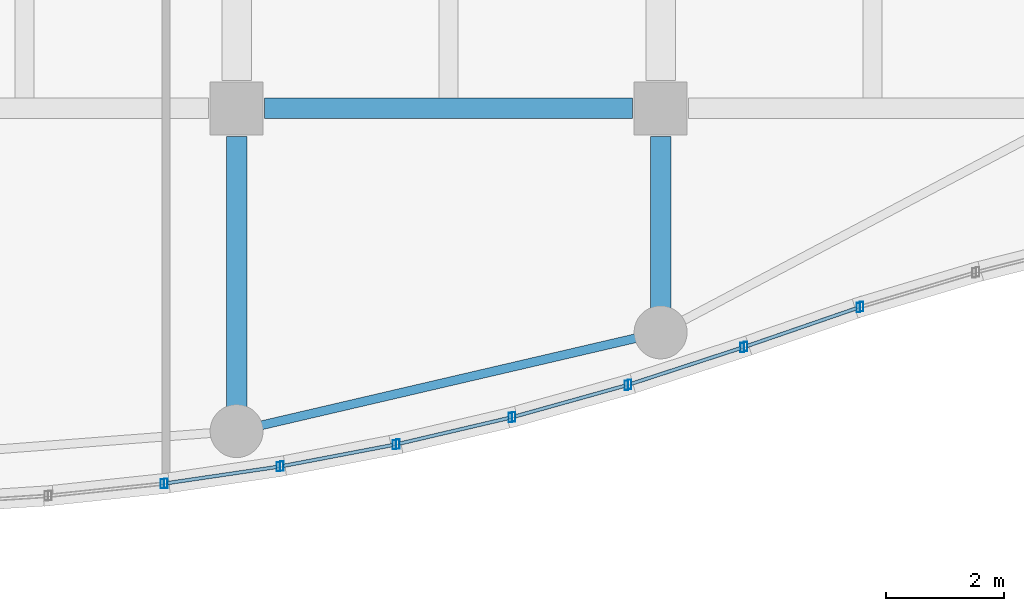
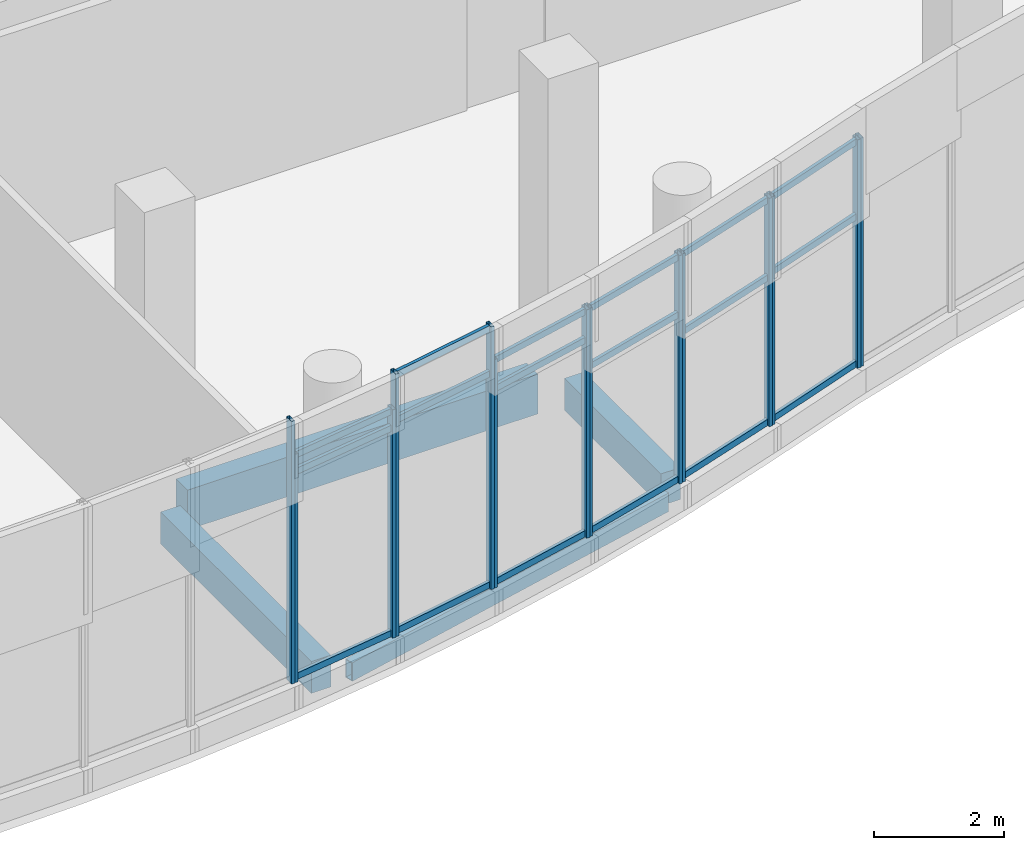
# One storey, part 78 of 192: 32 members, 4 beams, 8 elements without a shape of their own.
"""IFC4 building model written with IfcOpenShell, lengths in metres."""

from ifc_helpers import new_model, si_unit, direction, frame, origin, origin_2d, place, context, subcontext, project, spatial, rectangle, hollow_rectangle, extrude, material, material_profile, profile_set, type_object, element, aggregate, save


model = new_model("IFC4")

# Units and contexts
model_context = context("Model", 3, precision=1e-05, world=origin(), true_north=direction((0.0, 1.0)))
body_context = subcontext(model_context, "Body", "Model", "MODEL_VIEW")
ifc_project = project(units=[si_unit("LENGTHUNIT", "METRE"), si_unit("AREAUNIT", "SQUARE_METRE"), si_unit("VOLUMEUNIT", "CUBIC_METRE"), si_unit("PLANEANGLEUNIT", "RADIAN"), si_unit("MASSUNIT", "GRAM", prefix="KILO")], contexts=[model_context])

# Site, building, storey
site_placement = place(None, origin())
site = spatial("IfcSite", under=ifc_project, at=site_placement, CompositionType="ELEMENT")
building_placement = place(site_placement, origin())
building = spatial("IfcBuilding", under=site, at=building_placement, Name="Cendralis Lancet Convention Centre", CompositionType="ELEMENT")
storey_placement = place(building_placement, origin())
storey = spatial("IfcBuildingStorey", under=building, at=storey_placement, Name="L00", CompositionType="ELEMENT", Elevation=0.0)

# Curtain wall, member
ifc_material_1 = material(Name="Anodised bronze architectural aluminium", Category="aluminium")
curtain_wall_type = type_object("IfcCurtainWallType", Name="ARC-CW-WF02", PredefinedType="USERDEFINED", material=ifc_material_1)
curtain_wall_1_placement = place(storey_placement, origin())
curtain_wall_1 = element("IfcCurtainWall", 1, at=curtain_wall_1_placement, inside=storey, type_object=curtain_wall_type, Name="L00 Curtain Wall CW-WF2 #067", ObjectType="CURTAIN WALL", PredefinedType="USERDEFINED")
ifc_material_profile_1 = material_profile(ifc_material_1, hollow_rectangle(XDim=0.06005859375, YDim=0.159912109375, WallThickness=0.00390625, at=origin_2d()), Name="AL-MULL 60x160x4.0")
ifc_profile_set_1 = profile_set([ifc_material_profile_1], Name="Anodised bronze architectural aluminium")
member_type_1 = type_object("IfcMemberType", Name="ARC-CW-ML01", PredefinedType="MULLION", material=ifc_profile_set_1)
member_1_placement = place(storey_placement, frame((159.539306640625, 0.82568359375, 0.449951171875), z_axis=(0.0, 0.0, 1.0), x_axis=(1.0, 0.0, 0.0)))
member_1 = element("IfcMember", 2, at=member_1_placement, type_object=member_type_1, Name="Mullion CW2-CW-WF2-L00-067-M1", PredefinedType="MULLION", context=body_context, shape_type="SweptSolid", body=[
    extrude(hollow_rectangle(XDim=0.06005859375, YDim=0.159912109375, WallThickness=0.00390625, at=origin_2d()), origin(), (0.0, 0.0, 1.0), 4.949951171875),
])
aggregate(curtain_wall_1, [member_1])

# Curtain wall, members
curtain_wall_2_placement = place(storey_placement, origin())
curtain_wall_2 = element("IfcCurtainWall", 3, at=curtain_wall_2_placement, inside=storey, type_object=curtain_wall_type, Name="L00 Curtain Wall CW-WF2 #068", ObjectType="CURTAIN WALL", PredefinedType="USERDEFINED")
member_2_placement = place(storey_placement, frame((159.5986328125, 0.83349609375, 0.449951171875), z_axis=(0.0, 0.0, 1.0), x_axis=(1.0, 0.0, 0.0)))
member_2 = element("IfcMember", 4, at=member_2_placement, type_object=member_type_1, Name="Mullion CW2-CW-WF2-L00-068-M0", PredefinedType="MULLION", context=body_context, shape_type="SweptSolid", body=[
    extrude(hollow_rectangle(XDim=0.06005859375, YDim=0.159912109375, WallThickness=0.00390625, at=origin_2d()), origin(), (0.0, 0.0, 1.0), 4.304931640625),
])
member_3_placement = place(storey_placement, frame((161.50830078125, 1.114501953125, 0.449951171875), z_axis=(0.0, 0.0, 1.0), x_axis=(1.0, 0.0, 0.0)))
member_3 = element("IfcMember", 5, at=member_3_placement, type_object=member_type_1, Name="Mullion CW2-CW-WF2-L00-068-M1", PredefinedType="MULLION", context=body_context, shape_type="SweptSolid", body=[
    extrude(hollow_rectangle(XDim=0.06005859375, YDim=0.159912109375, WallThickness=0.00390625, at=origin_2d()), origin(), (0.0, 0.0, 1.0), 4.304931640625),
])

curtain_wall_3_placement = place(storey_placement, origin())
curtain_wall_3 = element("IfcCurtainWall", 6, at=curtain_wall_3_placement, inside=storey, type_object=curtain_wall_type, Name="L00 Curtain Wall CW-WF2 #069", ObjectType="CURTAIN WALL", PredefinedType="USERDEFINED")
member_4_placement = place(storey_placement, frame((161.5673828125, 1.12451171875, 0.449951171875), z_axis=(0.0, 0.0, 1.0), x_axis=(1.0, 0.0, 0.0)))
member_4 = element("IfcMember", 7, at=member_4_placement, type_object=member_type_1, Name="Mullion CW2-CW-WF2-L00-069-M0", PredefinedType="MULLION", context=body_context, shape_type="SweptSolid", body=[
    extrude(hollow_rectangle(XDim=0.06005859375, YDim=0.159912109375, WallThickness=0.00390625, at=origin_2d()), origin(), (0.0, 0.0, 1.0), 4.949951171875),
])
member_5_placement = place(storey_placement, frame((163.478515625, 1.48828125, 0.449951171875), z_axis=(0.0, 0.0, 1.0), x_axis=(1.0, 0.0, 0.0)))
member_5 = element("IfcMember", 8, at=member_5_placement, type_object=member_type_1, Name="Mullion CW2-CW-WF2-L00-069-M1", PredefinedType="MULLION", context=body_context, shape_type="SweptSolid", body=[
    extrude(hollow_rectangle(XDim=0.06005859375, YDim=0.159912109375, WallThickness=0.00390625, at=origin_2d()), origin(), (0.0, 0.0, 1.0), 4.949951171875),
])

curtain_wall_4_placement = place(storey_placement, origin())
curtain_wall_4 = element("IfcCurtainWall", 9, at=curtain_wall_4_placement, inside=storey, type_object=curtain_wall_type, Name="L00 Curtain Wall CW-WF2 #070", ObjectType="CURTAIN WALL", PredefinedType="USERDEFINED")
member_6_placement = place(storey_placement, frame((163.537109375, 1.500732421875, 0.449951171875), z_axis=(0.0, 0.0, 1.0), x_axis=(1.0, 0.0, 0.0)))
member_6 = element("IfcMember", 10, at=member_6_placement, type_object=member_type_1, Name="Mullion CW2-CW-WF2-L00-070-M0", PredefinedType="MULLION", context=body_context, shape_type="SweptSolid", body=[
    extrude(hollow_rectangle(XDim=0.06005859375, YDim=0.159912109375, WallThickness=0.00390625, at=origin_2d()), origin(), (0.0, 0.0, 1.0), 4.304931640625),
])
member_7_placement = place(storey_placement, frame((165.44775390625, 1.9482421875, 0.449951171875), z_axis=(0.0, 0.0, 1.0), x_axis=(1.0, 0.0, 0.0)))
member_7 = element("IfcMember", 11, at=member_7_placement, type_object=member_type_1, Name="Mullion CW2-CW-WF2-L00-070-M1", PredefinedType="MULLION", context=body_context, shape_type="SweptSolid", body=[
    extrude(hollow_rectangle(XDim=0.06005859375, YDim=0.159912109375, WallThickness=0.00390625, at=origin_2d()), origin(), (0.0, 0.0, 1.0), 4.304931640625),
])

curtain_wall_5_placement = place(storey_placement, origin())
curtain_wall_5 = element("IfcCurtainWall", 12, at=curtain_wall_5_placement, inside=storey, type_object=curtain_wall_type, Name="L00 Curtain Wall CW-WF2 #071", ObjectType="CURTAIN WALL", PredefinedType="USERDEFINED")
member_8_placement = place(storey_placement, frame((165.505859375, 1.963134765625, 0.449951171875), z_axis=(0.0, 0.0, 1.0), x_axis=(1.0, 0.0, 0.0)))
member_8 = element("IfcMember", 13, at=member_8_placement, type_object=member_type_1, Name="Mullion CW2-CW-WF2-L00-071-M0", PredefinedType="MULLION", context=body_context, shape_type="SweptSolid", body=[
    extrude(hollow_rectangle(XDim=0.06005859375, YDim=0.159912109375, WallThickness=0.00390625, at=origin_2d()), origin(), (0.0, 0.0, 1.0), 4.304931640625),
])
member_9_placement = place(storey_placement, frame((167.4169921875, 2.496826171875, 0.449951171875), z_axis=(0.0, 0.0, 1.0), x_axis=(1.0, 0.0, 0.0)))
member_9 = element("IfcMember", 14, at=member_9_placement, type_object=member_type_1, Name="Mullion CW2-CW-WF2-L00-071-M1", PredefinedType="MULLION", context=body_context, shape_type="SweptSolid", body=[
    extrude(hollow_rectangle(XDim=0.06005859375, YDim=0.159912109375, WallThickness=0.00390625, at=origin_2d()), origin(), (0.0, 0.0, 1.0), 4.304931640625),
])

curtain_wall_6_placement = place(storey_placement, origin())
curtain_wall_6 = element("IfcCurtainWall", 15, at=curtain_wall_6_placement, inside=storey, type_object=curtain_wall_type, Name="L00 Curtain Wall CW-WF2 #072", ObjectType="CURTAIN WALL", PredefinedType="USERDEFINED")
member_10_placement = place(storey_placement, frame((167.474609375, 2.514404296875, 0.449951171875), z_axis=(0.0, 0.0, 1.0), x_axis=(1.0, 0.0, 0.0)))
member_10 = element("IfcMember", 16, at=member_10_placement, type_object=member_type_1, Name="Mullion CW2-CW-WF2-L00-072-M0", PredefinedType="MULLION", context=body_context, shape_type="SweptSolid", body=[
    extrude(hollow_rectangle(XDim=0.06005859375, YDim=0.159912109375, WallThickness=0.00390625, at=origin_2d()), origin(), (0.0, 0.0, 1.0), 4.304931640625),
])
member_11_placement = place(storey_placement, frame((169.386474609375, 3.1376953125, 0.449951171875), z_axis=(0.0, 0.0, 1.0), x_axis=(1.0, 0.0, 0.0)))
member_11 = element("IfcMember", 17, at=member_11_placement, type_object=member_type_1, Name="Mullion CW2-CW-WF2-L00-072-M1", PredefinedType="MULLION", context=body_context, shape_type="SweptSolid", body=[
    extrude(hollow_rectangle(XDim=0.06005859375, YDim=0.159912109375, WallThickness=0.00390625, at=origin_2d()), origin(), (0.0, 0.0, 1.0), 4.304931640625),
])

curtain_wall_7_placement = place(storey_placement, origin())
curtain_wall_7 = element("IfcCurtainWall", 18, at=curtain_wall_7_placement, inside=storey, type_object=curtain_wall_type, Name="L00 Curtain Wall CW-WF2 #073", ObjectType="CURTAIN WALL", PredefinedType="USERDEFINED")
member_12_placement = place(storey_placement, frame((169.443359375, 3.15673828125, 0.449951171875), z_axis=(0.0, 0.0, 1.0), x_axis=(1.0, 0.0, 0.0)))
member_12 = element("IfcMember", 19, at=member_12_placement, type_object=member_type_1, Name="Mullion CW2-CW-WF2-L00-073-M0", PredefinedType="MULLION", context=body_context, shape_type="SweptSolid", body=[
    extrude(hollow_rectangle(XDim=0.06005859375, YDim=0.159912109375, WallThickness=0.00390625, at=origin_2d()), origin(), (0.0, 0.0, 1.0), 4.304931640625),
])
member_13_placement = place(storey_placement, frame((171.356689453125, 3.816162109375, 0.449951171875), z_axis=(0.0, 0.0, 1.0), x_axis=(1.0, 0.0, 0.0)))
member_13 = element("IfcMember", 20, at=member_13_placement, type_object=member_type_1, Name="Mullion CW2-CW-WF2-L00-073-M1", PredefinedType="MULLION", context=body_context, shape_type="SweptSolid", body=[
    extrude(hollow_rectangle(XDim=0.06005859375, YDim=0.159912109375, WallThickness=0.00390625, at=origin_2d()), origin(), (0.0, 0.0, 1.0), 4.304931640625),
])

# Curtain wall, member
curtain_wall_8_placement = place(storey_placement, origin())
curtain_wall_8 = element("IfcCurtainWall", 21, at=curtain_wall_8_placement, inside=storey, type_object=curtain_wall_type, Name="L00 Curtain Wall CW-WF2 #074", ObjectType="CURTAIN WALL", PredefinedType="USERDEFINED")
member_14_placement = place(storey_placement, frame((171.413818359375, 3.834716796875, 0.449951171875), z_axis=(0.0, 0.0, 1.0), x_axis=(1.0, 0.0, 0.0)))
member_14 = element("IfcMember", 22, at=member_14_placement, type_object=member_type_1, Name="Mullion CW2-CW-WF2-L00-074-M0", PredefinedType="MULLION", context=body_context, shape_type="SweptSolid", body=[
    extrude(hollow_rectangle(XDim=0.06005859375, YDim=0.159912109375, WallThickness=0.00390625, at=origin_2d()), origin(), (0.0, 0.0, 1.0), 4.304931640625),
])
aggregate(curtain_wall_8, [member_14])

# Member
ifc_material_profile_2 = material_profile(ifc_material_1, hollow_rectangle(XDim=0.06005859375, YDim=0.1201171875, WallThickness=0.00390625, at=origin_2d()), Name="AL-TRAN 60x120x4.0")
ifc_profile_set_2 = profile_set([ifc_material_profile_2], Name="Anodised bronze architectural aluminium")
member_type_2 = type_object("IfcMemberType", Name="ARC-CW-TR01", PredefinedType="USERDEFINED", material=ifc_profile_set_2)
member_15_placement = place(storey_placement, frame((159.62841796875, 0.837646484375, 0.510009765625), z_axis=(0.989310441514, 0.14582472462, 0.0), x_axis=(-0.14582472462, 0.989310441514, 0.0)))
member_15 = element("IfcMember", 23, at=member_15_placement, type_object=member_type_2, Name="Transom CW2-CW-WF2-L00-068-T0BOT", ObjectType="TRANSOM", PredefinedType="USERDEFINED", context=body_context, shape_type="SweptSolid", body=[
    extrude(hollow_rectangle(XDim=0.06005859375, YDim=0.1201171875, WallThickness=0.00390625, at=origin_2d()), origin(), (0.0, 0.0, 1.0), 1.8701171875),
])

member_16_placement = place(storey_placement, frame((159.62841796875, 0.837646484375, 4.3779296875), z_axis=(0.989310441514, 0.14582472462, 0.0), x_axis=(-0.14582472462, 0.989310441514, 0.0)))
member_16 = element("IfcMember", 24, at=member_16_placement, type_object=member_type_2, Name="Transom CW2-CW-WF2-L00-068-T0MID", ObjectType="TRANSOM", PredefinedType="USERDEFINED", context=body_context, shape_type="SweptSolid", body=[
    extrude(hollow_rectangle(XDim=0.06005859375, YDim=0.1201171875, WallThickness=0.00390625, at=origin_2d()), origin(), (0.0, 0.0, 1.0), 1.8701171875),
])

member_17_placement = place(storey_placement, frame((159.62841796875, 0.837646484375, 4.695068359375), z_axis=(0.989310441514, 0.14582472462, 0.0), x_axis=(-0.14582472462, 0.989310441514, 0.0)))
member_17 = element("IfcMember", 25, at=member_17_placement, type_object=member_type_2, Name="Transom CW2-CW-WF2-L00-068-T0TOP", ObjectType="TRANSOM", PredefinedType="USERDEFINED", context=body_context, shape_type="SweptSolid", body=[
    extrude(hollow_rectangle(XDim=0.06005859375, YDim=0.1201171875, WallThickness=0.00390625, at=origin_2d()), origin(), (0.0, 0.0, 1.0), 1.8701171875),
])

aggregate(curtain_wall_2, [member_2, member_3, member_15, member_16, member_17])

member_18_placement = place(storey_placement, frame((161.596923828125, 1.130126953125, 0.510009765625), z_axis=(0.982341966094, 0.187094258733, 0.0), x_axis=(-0.187094258733, 0.982341966094, 0.0)))
member_18 = element("IfcMember", 26, at=member_18_placement, type_object=member_type_2, Name="Transom CW2-CW-WF2-L00-069-T0BOT", ObjectType="TRANSOM", PredefinedType="USERDEFINED", context=body_context, shape_type="SweptSolid", body=[
    extrude(hollow_rectangle(XDim=0.06005859375, YDim=0.1201171875, WallThickness=0.00390625, at=origin_2d()), origin(), (0.0, 0.0, 1.0), 1.885498046875),
])

member_19_placement = place(storey_placement, frame((161.596923828125, 1.130126953125, 4.487060546875), z_axis=(0.982341966094, 0.187094258733, 0.0), x_axis=(-0.187094258733, 0.982341966094, 0.0)))
member_19 = element("IfcMember", 27, at=member_19_placement, type_object=member_type_2, Name="Transom CW2-CW-WF2-L00-069-T0MID", ObjectType="TRANSOM", PredefinedType="USERDEFINED", context=body_context, shape_type="SweptSolid", body=[
    extrude(hollow_rectangle(XDim=0.06005859375, YDim=0.1201171875, WallThickness=0.00390625, at=origin_2d()), origin(), (0.0, 0.0, 1.0), 1.885498046875),
])

member_20_placement = place(storey_placement, frame((161.596923828125, 1.130126953125, 5.340087890625), z_axis=(0.982341966094, 0.187094258733, 0.0), x_axis=(-0.187094258733, 0.982341966094, 0.0)))
member_20 = element("IfcMember", 28, at=member_20_placement, type_object=member_type_2, Name="Transom CW2-CW-WF2-L00-069-T0TOP", ObjectType="TRANSOM", PredefinedType="USERDEFINED", context=body_context, shape_type="SweptSolid", body=[
    extrude(hollow_rectangle(XDim=0.06005859375, YDim=0.1201171875, WallThickness=0.00390625, at=origin_2d()), origin(), (0.0, 0.0, 1.0), 1.885498046875),
])

aggregate(curtain_wall_3, [member_4, member_5, member_18, member_19, member_20])

member_21_placement = place(storey_placement, frame((163.56640625, 1.5078125, 0.510009765625), z_axis=(0.973679089908, 0.227923298231, 0.0), x_axis=(-0.227923298231, 0.973679089908, 0.0)))
member_21 = element("IfcMember", 29, at=member_21_placement, type_object=member_type_2, Name="Transom CW2-CW-WF2-L00-070-T0BOT", ObjectType="TRANSOM", PredefinedType="USERDEFINED", context=body_context, shape_type="SweptSolid", body=[
    extrude(hollow_rectangle(XDim=0.06005859375, YDim=0.1201171875, WallThickness=0.00390625, at=origin_2d()), origin(), (0.0, 0.0, 1.0), 1.90234375),
])

member_22_placement = place(storey_placement, frame((163.56640625, 1.5078125, 4.154052734375), z_axis=(0.973679089908, 0.227923298231, 0.0), x_axis=(-0.227923298231, 0.973679089908, 0.0)))
member_22 = element("IfcMember", 30, at=member_22_placement, type_object=member_type_2, Name="Transom CW2-CW-WF2-L00-070-T0MID", ObjectType="TRANSOM", PredefinedType="USERDEFINED", context=body_context, shape_type="SweptSolid", body=[
    extrude(hollow_rectangle(XDim=0.06005859375, YDim=0.1201171875, WallThickness=0.00390625, at=origin_2d()), origin(), (0.0, 0.0, 1.0), 1.90234375),
])

member_23_placement = place(storey_placement, frame((163.56640625, 1.5078125, 4.695068359375), z_axis=(0.973679089908, 0.227923298231, 0.0), x_axis=(-0.227923298231, 0.973679089908, 0.0)))
member_23 = element("IfcMember", 31, at=member_23_placement, type_object=member_type_2, Name="Transom CW2-CW-WF2-L00-070-T0TOP", ObjectType="TRANSOM", PredefinedType="USERDEFINED", context=body_context, shape_type="SweptSolid", body=[
    extrude(hollow_rectangle(XDim=0.06005859375, YDim=0.1201171875, WallThickness=0.00390625, at=origin_2d()), origin(), (0.0, 0.0, 1.0), 1.90234375),
])

aggregate(curtain_wall_4, [member_6, member_7, member_21, member_22, member_23])

member_24_placement = place(storey_placement, frame((165.534912109375, 1.97119140625, 0.510009765625), z_axis=(0.963111457579, 0.269102806155, 0.0), x_axis=(-0.269102806155, 0.963111457579, 0.0)))
member_24 = element("IfcMember", 32, at=member_24_placement, type_object=member_type_2, Name="Transom CW2-CW-WF2-L00-071-T0BOT", ObjectType="TRANSOM", PredefinedType="USERDEFINED", context=body_context, shape_type="SweptSolid", body=[
    extrude(hollow_rectangle(XDim=0.06005859375, YDim=0.1201171875, WallThickness=0.00390625, at=origin_2d()), origin(), (0.0, 0.0, 1.0), 1.92431640625),
])

member_25_placement = place(storey_placement, frame((165.534912109375, 1.97119140625, 3.610107421875), z_axis=(0.963111457579, 0.269102806155, 0.0), x_axis=(-0.269102806155, 0.963111457579, 0.0)))
member_25 = element("IfcMember", 33, at=member_25_placement, type_object=member_type_2, Name="Transom CW2-CW-WF2-L00-071-T0MID", ObjectType="TRANSOM", PredefinedType="USERDEFINED", context=body_context, shape_type="SweptSolid", body=[
    extrude(hollow_rectangle(XDim=0.06005859375, YDim=0.1201171875, WallThickness=0.00390625, at=origin_2d()), origin(), (0.0, 0.0, 1.0), 1.92431640625),
])

member_26_placement = place(storey_placement, frame((165.534912109375, 1.97119140625, 4.695068359375), z_axis=(0.963111457579, 0.269102806155, 0.0), x_axis=(-0.269102806155, 0.963111457579, 0.0)))
member_26 = element("IfcMember", 34, at=member_26_placement, type_object=member_type_2, Name="Transom CW2-CW-WF2-L00-071-T0TOP", ObjectType="TRANSOM", PredefinedType="USERDEFINED", context=body_context, shape_type="SweptSolid", body=[
    extrude(hollow_rectangle(XDim=0.06005859375, YDim=0.1201171875, WallThickness=0.00390625, at=origin_2d()), origin(), (0.0, 0.0, 1.0), 1.92431640625),
])

aggregate(curtain_wall_5, [member_8, member_9, member_24, member_25, member_26])

member_27_placement = place(storey_placement, frame((167.5029296875, 2.523681640625, 0.510009765625), z_axis=(0.950752286969, 0.309951752411, 0.0), x_axis=(-0.309951752411, 0.950752286969, 0.0)))
member_27 = element("IfcMember", 35, at=member_27_placement, type_object=member_type_2, Name="Transom CW2-CW-WF2-L00-072-T0BOT", ObjectType="TRANSOM", PredefinedType="USERDEFINED", context=body_context, shape_type="SweptSolid", body=[
    extrude(hollow_rectangle(XDim=0.06005859375, YDim=0.1201171875, WallThickness=0.00390625, at=origin_2d()), origin(), (0.0, 0.0, 1.0), 1.951171875),
])

member_28_placement = place(storey_placement, frame((167.5029296875, 2.523681640625, 3.23193359375), z_axis=(0.950752286969, 0.309951752411, 0.0), x_axis=(-0.309951752411, 0.950752286969, 0.0)))
member_28 = element("IfcMember", 36, at=member_28_placement, type_object=member_type_2, Name="Transom CW2-CW-WF2-L00-072-T0MID", ObjectType="TRANSOM", PredefinedType="USERDEFINED", context=body_context, shape_type="SweptSolid", body=[
    extrude(hollow_rectangle(XDim=0.06005859375, YDim=0.1201171875, WallThickness=0.00390625, at=origin_2d()), origin(), (0.0, 0.0, 1.0), 1.951171875),
])

member_29_placement = place(storey_placement, frame((167.5029296875, 2.523681640625, 4.695068359375), z_axis=(0.950752286969, 0.309951752411, 0.0), x_axis=(-0.309951752411, 0.950752286969, 0.0)))
member_29 = element("IfcMember", 37, at=member_29_placement, type_object=member_type_2, Name="Transom CW2-CW-WF2-L00-072-T0TOP", ObjectType="TRANSOM", PredefinedType="USERDEFINED", context=body_context, shape_type="SweptSolid", body=[
    extrude(hollow_rectangle(XDim=0.06005859375, YDim=0.1201171875, WallThickness=0.00390625, at=origin_2d()), origin(), (0.0, 0.0, 1.0), 1.951171875),
])

aggregate(curtain_wall_6, [member_10, member_11, member_27, member_28, member_29])

member_30_placement = place(storey_placement, frame((169.4716796875, 3.16650390625, 0.510009765625), z_axis=(0.945427134116, 0.325833598753, 0.0), x_axis=(-0.325833598753, 0.945427134116, 0.0)))
member_30 = element("IfcMember", 38, at=member_30_placement, type_object=member_type_2, Name="Transom CW2-CW-WF2-L00-073-T0BOT", ObjectType="TRANSOM", PredefinedType="USERDEFINED", context=body_context, shape_type="SweptSolid", body=[
    extrude(hollow_rectangle(XDim=0.06005859375, YDim=0.1201171875, WallThickness=0.00390625, at=origin_2d()), origin(), (0.0, 0.0, 1.0), 1.9638671875),
])

member_31_placement = place(storey_placement, frame((169.4716796875, 3.16650390625, 3.282958984375), z_axis=(0.945427134116, 0.325833598753, 0.0), x_axis=(-0.325833598753, 0.945427134116, 0.0)))
member_31 = element("IfcMember", 39, at=member_31_placement, type_object=member_type_2, Name="Transom CW2-CW-WF2-L00-073-T0MID", ObjectType="TRANSOM", PredefinedType="USERDEFINED", context=body_context, shape_type="SweptSolid", body=[
    extrude(hollow_rectangle(XDim=0.06005859375, YDim=0.1201171875, WallThickness=0.00390625, at=origin_2d()), origin(), (0.0, 0.0, 1.0), 1.9638671875),
])

member_32_placement = place(storey_placement, frame((169.4716796875, 3.16650390625, 4.695068359375), z_axis=(0.945427134116, 0.325833598753, 0.0), x_axis=(-0.325833598753, 0.945427134116, 0.0)))
member_32 = element("IfcMember", 40, at=member_32_placement, type_object=member_type_2, Name="Transom CW2-CW-WF2-L00-073-T0TOP", ObjectType="TRANSOM", PredefinedType="USERDEFINED", context=body_context, shape_type="SweptSolid", body=[
    extrude(hollow_rectangle(XDim=0.06005859375, YDim=0.1201171875, WallThickness=0.00390625, at=origin_2d()), origin(), (0.0, 0.0, 1.0), 1.9638671875),
])

aggregate(curtain_wall_7, [member_12, member_13, member_30, member_31, member_32])

# Beams
ifc_material_2 = material(Name="Concrete G35 (C35/45)", Category="concrete")
ifc_material_profile_3 = material_profile(ifc_material_2, rectangle(XDim=0.35009765625, YDim=0.60009765625, at=origin_2d()), Name="RCB 350x600")
ifc_profile_set_3 = profile_set([ifc_material_profile_3], Name="Concrete G35 (C35/45)")
beam_type_1 = type_object("IfcBeamType", Name="STR-BM-BG16", PredefinedType="BEAM", material=ifc_profile_set_3)
beam_1_placement = place(storey_placement, frame((160.800048828125, 2.070556640625, -0.6201171875), z_axis=(0.0, 1.0, 0.0), x_axis=(-1.0, 0.0, 0.0)))
element("IfcBeam", 41, at=beam_1_placement, inside=storey, type_object=beam_type_1, Name="L00 Beam BG16 #1029", PredefinedType="BEAM", context=body_context, shape_type="SweptSolid", body=[
    extrude(rectangle(XDim=0.35009765625, YDim=0.60009765625, at=origin_2d()), origin(), (0.0, 0.0, 1.0), 4.654541015625),
])
beam_2_placement = place(storey_placement, frame((168.0, 3.74609375, -0.6201171875), z_axis=(0.0, 1.0, 0.0), x_axis=(-1.0, 0.0, 0.0)))
element("IfcBeam", 42, at=beam_2_placement, inside=storey, type_object=beam_type_1, Name="L00 Beam BG16 #1030", PredefinedType="BEAM", context=body_context, shape_type="SweptSolid", body=[
    extrude(rectangle(XDim=0.35009765625, YDim=0.60009765625, at=origin_2d()), origin(), (0.0, 0.0, 1.0), 2.97900390625),
])
ifc_material_3 = material(Name="Concrete G40 (C40/50)", Category="concrete")
ifc_material_profile_4 = material_profile(ifc_material_3, rectangle(XDim=0.35009765625, YDim=0.75, at=origin_2d()), Name="RCB 350x750")
ifc_profile_set_4 = profile_set([ifc_material_profile_4], Name="Concrete G40 (C40/50)")
beam_type_2 = type_object("IfcBeamType", Name="STR-SP-SP01", PredefinedType="SPANDREL", material=ifc_profile_set_4)
beam_3_placement = place(storey_placement, frame((161.27490234375, 7.199951171875, -0.695068359375), z_axis=(1.0, 0.0, 0.0), x_axis=(0.0, 1.0, 0.0)))
element("IfcBeam", 43, at=beam_3_placement, inside=storey, type_object=beam_type_2, Name="L00 Beam SP01 #0005", PredefinedType="SPANDREL", context=body_context, shape_type="SweptSolid", body=[
    extrude(rectangle(XDim=0.35009765625, YDim=0.75, at=origin_2d()), origin(), (0.0, 0.0, 1.0), 6.25),
])
ifc_material_4 = material(Name="Steel S355", Category="steel")
ifc_material_profile_5 = material_profile(ifc_material_4, hollow_rectangle(XDim=0.14990234375, YDim=0.35009765625, WallThickness=0.012451171875, at=origin_2d()), Name="RHS 350x150x12.5")
ifc_profile_set_5 = profile_set([ifc_material_profile_5], Name="Steel S355")
beam_type_3 = type_object("IfcBeamType", Name="STR-SP-SP04", PredefinedType="SPANDREL", material=ifc_profile_set_5)
beam_4_placement = place(storey_placement, frame((161.140869140625, 1.7998046875, -0.4951171875), z_axis=(0.973968331893, 0.226684116049, 0.0), x_axis=(-0.226684116049, 0.973968331893, 0.0)))
element("IfcBeam", 44, at=beam_4_placement, inside=storey, type_object=beam_type_3, Name="L00 Beam SP04 #1044", PredefinedType="SPANDREL", context=body_context, shape_type="SweptSolid", body=[
    extrude(hollow_rectangle(XDim=0.14990234375, YDim=0.35009765625, WallThickness=0.012451171875, at=origin_2d()), origin(), (0.0, 0.0, 1.0), 6.692626953125),
])

save(model, "model.ifc")
